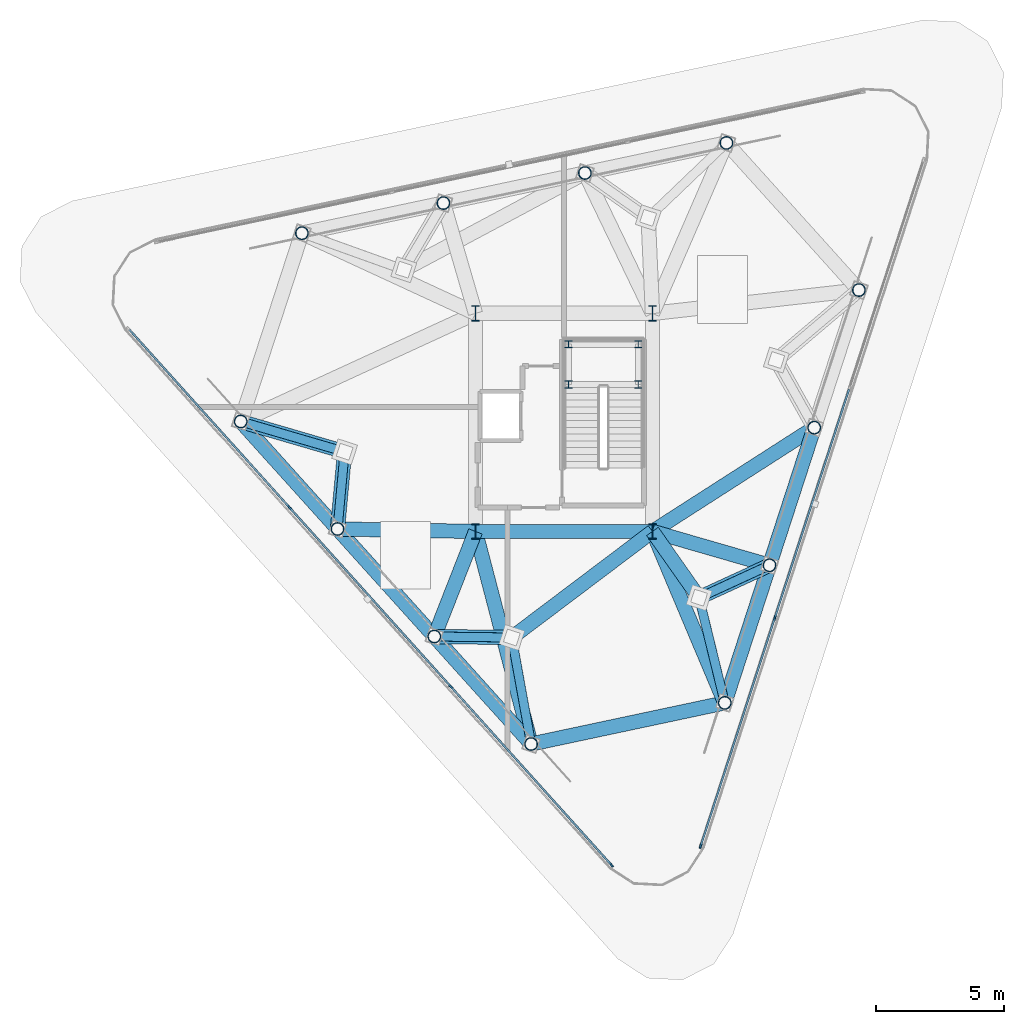
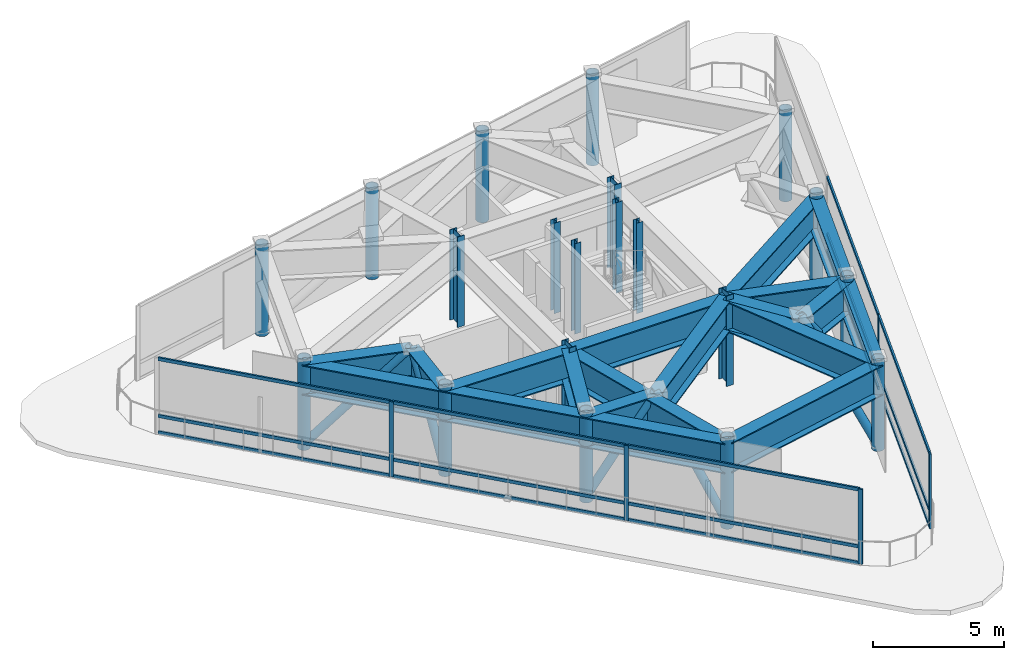
# One storey, part 1 of 6: 26 members, 20 columns, 19 beams, 2 elements without a shape of their own.
"""IFC4 building model written with IfcOpenShell, lengths in metres."""

import ifcopenshell
import ifcopenshell.guid

model = None  # the IFC model being written
_history = None  # IfcOwnerHistory: only IFC2X3 demands one
_inside = {}  # id of a spatial element -> (the spatial element, [elements in it])
_under = {}  # id of a project, library or spatial element -> (it, [spatial elements below it])
_declared = {}  # id of a project -> (the project, [libraries it declares])
_typed = {}  # id of a type object -> (the type object, [elements of that type])
_made_of = {}  # id of a material, layer set ... -> (it, [elements and type objects made of it])


def new_model(schema):
    """Start an empty IFC model of exactly this schema.

    Asked for "IFC4X3", IfcOpenShell would pick the latest addendum, in which some entities
    have other attributes; the version numbers below select the first issue.
    IFC2X3 requires an IfcOwnerHistory on every rooted entity: one is made here for all.
    """
    global model, _history
    if schema == "IFC4X3":
        model = ifcopenshell.file(schema_version=(4, 3, 0, 0))
    else:
        model = ifcopenshell.file(schema=schema)
    _inside.clear()
    _under.clear()
    _declared.clear()
    _typed.clear()
    _made_of.clear()
    _history = None
    if model.schema == "IFC2X3":
        org = make("IfcOrganization", Name="unknown")
        user = make(
            "IfcPersonAndOrganization",
            ThePerson=make("IfcPerson", FamilyName="unknown"),
            TheOrganization=org,
        )
        app = make(
            "IfcApplication",
            ApplicationDeveloper=org,
            Version="unknown",
            ApplicationFullName="unknown",
            ApplicationIdentifier="unknown",
        )
        _history = make(
            "IfcOwnerHistory",
            OwningUser=user,
            OwningApplication=app,
            ChangeAction="ADDED",
            CreationDate=0,
        )
    return model


def make(cls, **values):
    """One entity of the class cls with the attributes given. An attribute that is None is left unset."""
    return model.create_entity(
        cls, **{name: value for name, value in values.items() if value is not None}
    )


def rooted(cls, **values):
    """An entity with a GlobalId (a new one), such as an element, a storey or a relation."""
    return make(cls, GlobalId=ifcopenshell.guid.new(), OwnerHistory=_history, **values)


def si_unit(unit_type, name, prefix=None):
    """IfcSIUnit, for example si_unit("LENGTHUNIT", "METRE", prefix="MILLI")."""
    return make("IfcSIUnit", UnitType=unit_type, Prefix=prefix, Name=name)


def assignment(units):
    """IfcUnitAssignment: the units of a project."""
    return None if units is None else make("IfcUnitAssignment", Units=units)


def point(xyz):
    """IfcCartesianPoint."""
    return None if xyz is None else make("IfcCartesianPoint", Coordinates=xyz)


def direction(xyz):
    """IfcDirection."""
    return None if xyz is None else make("IfcDirection", DirectionRatios=xyz)


def frame(location, z_axis=None, x_axis=None):
    """IfcAxis2Placement3D, a coordinate frame: its origin and axes. An axis left out is left unset."""
    return make(
        "IfcAxis2Placement3D",
        Location=point(location),
        Axis=direction(z_axis),
        RefDirection=direction(x_axis),
    )


def frame_2d(location, x_axis=None):
    """IfcAxis2Placement2D, a coordinate frame in the plane: its origin and x axis."""
    return make(
        "IfcAxis2Placement2D", Location=point(location), RefDirection=direction(x_axis)
    )


def origin():
    """The frame at (0, 0, 0) with its axes left unset."""
    return frame((0.0, 0.0, 0.0))


def origin_2d():
    """The frame at (0, 0) in the plane with its x axis left unset."""
    return frame_2d((0.0, 0.0))


def place(relative_to, where):
    """IfcLocalPlacement: puts the frame where relative to a parent placement (None: the world)."""
    return make(
        "IfcLocalPlacement", PlacementRelTo=relative_to, RelativePlacement=where
    )


def context(
    kind, dimensions, precision=None, world=None, true_north=None, identifier=None
):
    """IfcGeometricRepresentationContext, for example the 3D "Model" context."""
    return make(
        "IfcGeometricRepresentationContext",
        ContextIdentifier=identifier,
        ContextType=kind,
        CoordinateSpaceDimension=dimensions,
        Precision=precision,
        WorldCoordinateSystem=world,
        TrueNorth=true_north,
    )


def subcontext(parent, identifier, kind, view, scale=None):
    """IfcGeometricRepresentationSubContext, for example "Body" below "Model"."""
    return make(
        "IfcGeometricRepresentationSubContext",
        ContextIdentifier=identifier,
        ContextType=kind,
        ParentContext=parent,
        TargetScale=scale,
        TargetView=view,
    )


def project(units=None, contexts=None):
    """IfcProject with its units and contexts."""
    return rooted(
        "IfcProject",
        Name="project",
        RepresentationContexts=contexts,
        UnitsInContext=assignment(units),
    )


def spatial(cls, under=None, at=None, **own):
    """A site, building, storey or space (cls), placed at a placement, below another one or the project."""
    s = rooted(cls, ObjectPlacement=at, **own)
    if under is not None:
        _under.setdefault(under.id(), (under, []))[1].append(s)
    return s


def profile(cls, at=None, kind="AREA", **sizes):
    """A parametric profile (cls). Its sizes go by their IFC names, for example OverallWidth=200.0."""
    return make(cls, ProfileType=kind, Position=at, **sizes)


def rectangle(**sizes):
    """IfcRectangleProfileDef."""
    return profile("IfcRectangleProfileDef", **sizes)


def hollow_circle(**sizes):
    """IfcCircleHollowProfileDef."""
    return profile("IfcCircleHollowProfileDef", **sizes)


def i_section(**sizes):
    """IfcIShapeProfileDef."""
    return profile("IfcIShapeProfileDef", **sizes)


def extrude(swept, where, along, depth):
    """IfcExtrudedAreaSolid: the profile swept, set in the frame where, extruded along a direction by depth."""
    return make(
        "IfcExtrudedAreaSolid",
        SweptArea=swept,
        Position=where,
        ExtrudedDirection=direction(along),
        Depth=depth,
    )


def shape(context_of_items, identifier, shape_type, items):
    """IfcShapeRepresentation: the items that make up one representation, for example the "Body"."""
    return make(
        "IfcShapeRepresentation",
        ContextOfItems=context_of_items,
        RepresentationIdentifier=identifier,
        RepresentationType=shape_type,
        Items=items,
    )


def material(Name=None, Category=None):
    """IfcMaterial."""
    return make("IfcMaterial", Name=Name, Category=Category)


def layer(
    of_material, thickness, ventilated=None, Name=None, Category=None, Priority=None
):
    """IfcMaterialLayer: one layer of a wall or slab, of a material (None: an air gap)."""
    return make(
        "IfcMaterialLayer",
        Material=of_material,
        LayerThickness=thickness,
        IsVentilated=ventilated,
        Name=Name,
        Category=Category,
        Priority=Priority,
    )


def layer_set(layers, Name=None):
    """IfcMaterialLayerSet."""
    return make("IfcMaterialLayerSet", MaterialLayers=layers, LayerSetName=Name)


def material_profile(
    of_material, cross_section, Name=None, Category=None, Priority=None
):
    """IfcMaterialProfile: a cross section and its material."""
    return make(
        "IfcMaterialProfile",
        Name=Name,
        Material=of_material,
        Profile=cross_section,
        Priority=Priority,
        Category=Category,
    )


def profile_set(profiles, Name=None, composite=None):
    """IfcMaterialProfileSet."""
    return make(
        "IfcMaterialProfileSet",
        Name=Name,
        MaterialProfiles=profiles,
        CompositeProfile=composite,
    )


def made_of(thing, what):
    """Note that an element or type object is made of a material, layer set ...; save() writes the relation."""
    if what is not None:
        _made_of.setdefault(what.id(), (what, []))[1].append(thing)
    return thing


def type_object(cls, material=None, **own):
    """A type object (cls), such as IfcWallType, which elements share."""
    return made_of(rooted(cls, **own), material)


def element(
    cls,
    number,
    at=None,
    inside=None,
    cuts=None,
    type_object=None,
    material=None,
    context=None,
    identifier="Body",
    shape_type=None,
    held_by="IfcProductDefinitionShape",
    body=None,
    shapes=None,
    **own,
):
    """One element of the class cls, such as IfcWall. Its Tag is "e" and its number.

    at: its placement. inside: the storey or other place that contains it. cuts: it is an
    opening in that element (IfcRelVoidsElement). A single representation is given by context,
    identifier, shape_type and body (its items); several are given by shapes. held_by: the class
    of the entity that holds the representations. save() writes the other relations.
    """
    e = rooted(cls, Tag="e%d" % number, ObjectPlacement=at, **own)
    if body is not None:
        shapes = [shape(context, identifier, shape_type, body)]
    if shapes is not None:
        e.Representation = make(held_by, Representations=shapes)
    if inside is not None:
        _inside.setdefault(inside.id(), (inside, []))[1].append(e)
    if cuts is not None:
        rooted(
            "IfcRelVoidsElement", RelatingBuildingElement=cuts, RelatedOpeningElement=e
        )
    if type_object is not None:
        _typed.setdefault(type_object.id(), (type_object, []))[1].append(e)
    return made_of(e, material)


def aggregate(whole, parts):
    """IfcRelAggregates: a whole, such as a stair, and the parts it consists of."""
    return rooted("IfcRelAggregates", RelatingObject=whole, RelatedObjects=parts)


def save(model, path):
    """Write the relations noted so far, then the file.

    IfcRelAggregates (storeys below a building ...), IfcRelContainedInSpatialStructure (elements
    in a storey), IfcRelDefinesByType, IfcRelAssociatesMaterial and IfcRelDeclares: one each for
    every whole, place, type object, material and project.
    """
    for whole, parts in _under.values():
        aggregate(whole, parts)
    for where, things in _inside.values():
        rooted(
            "IfcRelContainedInSpatialStructure",
            RelatedElements=things,
            RelatingStructure=where,
        )
    for kind, things in _typed.values():
        rooted("IfcRelDefinesByType", RelatedObjects=things, RelatingType=kind)
    for what, things in _made_of.values():
        rooted("IfcRelAssociatesMaterial", RelatedObjects=things, RelatingMaterial=what)
    for by, libraries in _declared.values():
        rooted("IfcRelDeclares", RelatingContext=by, RelatedDefinitions=libraries)
    model.write(path)


model = new_model("IFC4")

# Units and contexts
model_context = context("Model", 3, precision=1e-05, world=origin(), true_north=direction((0.0, 1.0)))
body_context = subcontext(model_context, "Body", "Model", "MODEL_VIEW")
ifc_project = project(units=[si_unit("LENGTHUNIT", "METRE"), si_unit("AREAUNIT", "SQUARE_METRE"), si_unit("VOLUMEUNIT", "CUBIC_METRE"), si_unit("PLANEANGLEUNIT", "RADIAN"), si_unit("MASSUNIT", "GRAM", prefix="KILO")], contexts=[model_context])

# Site, building, storey
site_placement = place(None, origin())
site = spatial("IfcSite", under=ifc_project, at=site_placement, CompositionType="ELEMENT")
building_placement = place(site_placement, origin())
building = spatial("IfcBuilding", under=site, at=building_placement, Name="Terralouvre Media Tower", CompositionType="ELEMENT")
storey_placement = place(building_placement, frame((0.0, 0.0, 326.60009765625)))
storey = spatial("IfcBuildingStorey", under=building, at=storey_placement, Name="L84", CompositionType="ELEMENT", Elevation=326.60009765625)

# Columns
ifc_material_1 = material(Name="Structural steel S355J2", Category="steel")
ifc_material_profile_1 = material_profile(ifc_material_1, i_section(OverallWidth=0.280029296875, OverallDepth=0.280029296875, WebThickness=0.010498046875, FlangeThickness=0.01806640625, at=origin_2d()), Name="HEB 280")
ifc_profile_set_1 = profile_set([ifc_material_profile_1], Name="Structural steel S355J2")
column_type_1 = type_object("IfcColumnType", Name="Basement Aisle Pilaster PL-HEB280 (HEB 280)", PredefinedType="PILASTER", material=ifc_profile_set_1)
for number, where, z_axis, x_axis, name in (
    (1, (0.179931640625, 1.47998046875, 0.0), (0.0, 0.0, 1.0), (1.0, 0.0, 0.0), "L84 Crown Stair Landing Post ST5LP1"),
    (2, (2.89990234375, 1.47998046875, 0.0), (0.0, 0.0, 1.0), (1.0, 0.0, 0.0), "L84 Crown Stair Landing Post ST5LP2"),
    (3, (0.179931640625, 3.050048828125, 0.0), (0.0, 0.0, 1.0), (1.0, 0.0, 0.0), "L84 Crown Stair Landing Post ST5LP3"),
    (4, (2.89990234375, 3.050048828125, 0.0), (0.0, 0.0, 1.0), (1.0, 0.0, 0.0), "L84 Crown Stair Landing Post ST5LP4"),
):
    element("IfcColumn", number, at=place(storey_placement, frame(where, z_axis=z_axis, x_axis=x_axis)), inside=storey, type_object=column_type_1, Name=name, PredefinedType="PILASTER", context=body_context, shape_type="SweptSolid", body=[
        extrude(i_section(OverallWidth=0.280029296875, OverallDepth=0.280029296875, WebThickness=0.010498046875, FlangeThickness=0.01806640625, at=origin_2d()), origin(), (0.0, 0.0, 1.0), 4.199951171875),
    ])
ifc_material_2 = material(Name="Structural steel S460M", Category="steel")
ifc_material_profile_2 = material_profile(ifc_material_2, hollow_circle(Radius=0.25390625, WallThickness=0.02490234375, at=origin_2d()), Name="CHS 508x25")
ifc_profile_set_2 = profile_set([ifc_material_profile_2], Name="Structural steel S460M")
column_type_2 = type_object("IfcColumnType", Name="Structural Column C-CHS508 (CHS 508x25)", PredefinedType="COLUMN", material=ifc_profile_set_2)
for number, where, z_axis, x_axis, name in (
    (5, (6.269287109375, -10.932373046875, 0.0), (0.0, 0.0, 1.0), (0.309016994375, 0.951056516295, 0.0), "L84 Perimeter Mega-Column PC11"),
    (6, (8.011962890625, -5.568359375, 0.0), (0.0, 0.0, 1.0), (0.309016994375, 0.951056516295, 0.0), "L84 Perimeter Mega-Column PC12"),
    (7, (9.7548828125, -0.204345703125, 0.0), (0.0, 0.0, 1.0), (0.309016994375, 0.951056516295, 0.0), "L84 Perimeter Mega-Column PC13"),
    (8, (11.497802734375, 5.159423828125, 0.0), (0.0, 0.0, 1.0), (0.309016994375, 0.951056516295, 0.0), "L84 Perimeter Mega-Column PC14"),
    (9, (6.3330078125, 10.8955078125, 0.0), (0.0, 0.0, 1.0), (0.309016994375, 0.951056516295, 0.0), "L84 Perimeter Mega-Column PC21"),
    (10, (0.81640625, 9.722900390625, 0.0), (0.0, 0.0, 1.0), (0.309016994375, 0.951056516295, 0.0), "L84 Perimeter Mega-Column PC22"),
    (11, (-4.700439453125, 8.55029296875, 0.0), (0.0, 0.0, 1.0), (0.309016994375, 0.951056516295, 0.0), "L84 Perimeter Mega-Column PC23"),
    (12, (-10.21728515625, 7.377685546875, 0.0), (0.0, 0.0, 1.0), (0.309016994375, 0.951056516295, 0.0), "L84 Perimeter Mega-Column PC24"),
    (13, (-12.602294921875, 0.036865234375, 0.0), (0.0, 0.0, 1.0), (0.309016994375, 0.951056516295, 0.0), "L84 Perimeter Mega-Column PC31"),
    (14, (-8.828369140625, -4.154541015625, 0.0), (0.0, 0.0, 1.0), (0.309016994375, 0.951056516295, 0.0), "L84 Perimeter Mega-Column PC32"),
    (15, (-5.054443359375, -8.345703125, 0.0), (0.0, 0.0, 1.0), (0.309016994375, 0.951056516295, 0.0), "L84 Perimeter Mega-Column PC33"),
    (16, (-1.280517578125, -12.537109375, 0.0), (0.0, 0.0, 1.0), (0.309016994375, 0.951056516295, 0.0), "L84 Perimeter Mega-Column PC34"),
):
    element("IfcColumn", number, at=place(storey_placement, frame(where, z_axis=z_axis, x_axis=x_axis)), inside=storey, type_object=column_type_2, Name=name, PredefinedType="COLUMN", context=body_context, shape_type="SweptSolid", body=[
        extrude(hollow_circle(Radius=0.25390625, WallThickness=0.02490234375, at=origin_2d()), origin(), (0.0, 0.0, 1.0), 4.199951171875),
    ])
ifc_material_3 = material(Name="Structural steel S460M", Category="steel")
ifc_material_profile_3 = material_profile(ifc_material_3, i_section(OverallWidth=0.300048828125, OverallDepth=0.60009765625, WebThickness=0.015380859375, FlangeThickness=0.030029296875, at=origin_2d()), Name="HEB 600")
ifc_profile_set_3 = profile_set([ifc_material_profile_3], Name="Structural steel S460M")
column_type_3 = type_object("IfcColumnType", Name="Structural Column C-HEB600 (HEB 600)", PredefinedType="COLUMN", material=ifc_profile_set_3)
for number, where, z_axis, x_axis, name in (
    (17, (-3.449951171875, -4.25, 0.0), (0.0, 0.0, 1.0), (1.0, 0.0, 0.0), "L84 Core Pilaster Column CP1"),
    (18, (3.449951171875, -4.25, 0.0), (0.0, 0.0, 1.0), (1.0, 0.0, 0.0), "L84 Core Pilaster Column CP3"),
    (19, (3.449951171875, 4.25, 0.0), (0.0, 0.0, 1.0), (1.0, 0.0, 0.0), "L84 Core Pilaster Column CP5"),
    (20, (-3.449951171875, 4.25, 0.0), (0.0, 0.0, 1.0), (1.0, 0.0, 0.0), "L84 Core Pilaster Column CP7"),
):
    element("IfcColumn", number, at=place(storey_placement, frame(where, z_axis=z_axis, x_axis=x_axis)), inside=storey, type_object=column_type_3, Name=name, PredefinedType="COLUMN", context=body_context, shape_type="SweptSolid", body=[
        extrude(i_section(OverallWidth=0.300048828125, OverallDepth=0.60009765625, WebThickness=0.015380859375, FlangeThickness=0.030029296875, at=origin_2d()), origin(), (0.0, 0.0, 1.0), 4.199951171875),
    ])

# Curtain wall, members
ifc_material_4 = material(Name="Low-iron laminated double glazing with solar-control coating", Category="glass")
ifc_layer = layer(ifc_material_4, 0.1650390625, Name="Faceted Glass-Point Crown Curtain Wall CW-06")
ifc_layer_set = layer_set([ifc_layer], Name="Low-iron laminated double glazing with solar-control coating")
curtain_wall_type = type_object("IfcCurtainWallType", Name="Faceted Glass-Point Crown Curtain Wall CW-06", PredefinedType="NOTDEFINED", material=ifc_layer_set)
curtain_wall_1_placement = place(storey_placement, origin())
curtain_wall_1 = element("IfcCurtainWall", 21, at=curtain_wall_1_placement, inside=storey, type_object=curtain_wall_type, Name="L84 Facade Curtain Wall F0", PredefinedType="NOTDEFINED")
ifc_material_5 = material(Name="Anodised extruded aluminium 6063-T6", Category="aluminium")
ifc_material_profile_4 = material_profile(ifc_material_5, rectangle(XDim=0.074951171875, YDim=0.14990234375, at=origin_2d()), Name="ALU 75x150")
ifc_profile_set_4 = profile_set([ifc_material_profile_4], Name="Anodised extruded aluminium 6063-T6")
member_type_1 = type_object("IfcMemberType", Name="Curtain-Wall Horizontal Transom TR-150", PredefinedType="USERDEFINED", material=ifc_profile_set_4)
member_1_placement = place(storey_placement, frame((5.3388671875, -16.4814453125, 0.037353515625), z_axis=(0.309026633145, 0.951053384415, 0.0), x_axis=(-0.951053384415, 0.309026633145, 0.0)))
member_1 = element("IfcMember", 22, at=member_1_placement, type_object=member_type_1, Name="CW-06 transom 1.1", ObjectType="TRANSOM", PredefinedType="USERDEFINED", context=body_context, shape_type="SweptSolid", body=[
    extrude(rectangle(XDim=0.074951171875, YDim=0.14990234375, at=origin_2d()), origin(), (0.0, 0.0, 1.0), 9.28759765625),
])
member_2_placement = place(storey_placement, frame((5.3388671875, -16.4814453125, 0.7998046875), z_axis=(0.309026633145, 0.951053384415, 0.0), x_axis=(-0.951053384415, 0.309026633145, 0.0)))
member_2 = element("IfcMember", 23, at=member_2_placement, type_object=member_type_1, Name="CW-06 transom 1.2", ObjectType="TRANSOM", PredefinedType="USERDEFINED", context=body_context, shape_type="SweptSolid", body=[
    extrude(rectangle(XDim=0.074951171875, YDim=0.14990234375, at=origin_2d()), origin(), (0.0, 0.0, 1.0), 9.28759765625),
])
member_3_placement = place(storey_placement, frame((5.3388671875, -16.4814453125, 3.4423828125), z_axis=(0.309026633145, 0.951053384415, 0.0), x_axis=(-0.951053384415, 0.309026633145, 0.0)))
member_3 = element("IfcMember", 24, at=member_3_placement, type_object=member_type_1, Name="CW-06 transom 1.3", ObjectType="TRANSOM", PredefinedType="USERDEFINED", context=body_context, shape_type="SweptSolid", body=[
    extrude(rectangle(XDim=0.074951171875, YDim=0.14990234375, at=origin_2d()), origin(), (0.0, 0.0, 1.0), 9.28759765625),
])
member_4_placement = place(storey_placement, frame((8.232177734375, -7.5771484375, 0.037353515625), z_axis=(0.308992534234, 0.951064463529, 0.0), x_axis=(-0.951064463529, 0.308992534234, 0.0)))
member_4 = element("IfcMember", 25, at=member_4_placement, type_object=member_type_1, Name="CW-06 transom 2.1", ObjectType="TRANSOM", PredefinedType="USERDEFINED", context=body_context, shape_type="SweptSolid", body=[
    extrude(rectangle(XDim=0.074951171875, YDim=0.14990234375, at=origin_2d()), origin(), (0.0, 0.0, 1.0), 9.324951171875),
])
member_5_placement = place(storey_placement, frame((8.232177734375, -7.5771484375, 0.7998046875), z_axis=(0.308992534234, 0.951064463529, 0.0), x_axis=(-0.951064463529, 0.308992534234, 0.0)))
member_5 = element("IfcMember", 26, at=member_5_placement, type_object=member_type_1, Name="CW-06 transom 2.2", ObjectType="TRANSOM", PredefinedType="USERDEFINED", context=body_context, shape_type="SweptSolid", body=[
    extrude(rectangle(XDim=0.074951171875, YDim=0.14990234375, at=origin_2d()), origin(), (0.0, 0.0, 1.0), 9.324951171875),
])
member_6_placement = place(storey_placement, frame((8.232177734375, -7.5771484375, 3.4423828125), z_axis=(0.308992534234, 0.951064463529, 0.0), x_axis=(-0.951064463529, 0.308992534234, 0.0)))
member_6 = element("IfcMember", 27, at=member_6_placement, type_object=member_type_1, Name="CW-06 transom 2.3", ObjectType="TRANSOM", PredefinedType="USERDEFINED", context=body_context, shape_type="SweptSolid", body=[
    extrude(rectangle(XDim=0.074951171875, YDim=0.14990234375, at=origin_2d()), origin(), (0.0, 0.0, 1.0), 9.324951171875),
])

curtain_wall_2_placement = place(storey_placement, origin())
curtain_wall_2 = element("IfcCurtainWall", 28, at=curtain_wall_2_placement, inside=storey, type_object=curtain_wall_type, Name="L84 Facade Curtain Wall F2", PredefinedType="NOTDEFINED")
member_7_placement = place(storey_placement, frame((-16.94287109375, 3.6171875, 0.037353515625), z_axis=(0.66912592113, -0.743149044049, 0.0), x_axis=(0.743149044049, 0.66912592113, 0.0)))
member_7 = element("IfcMember", 29, at=member_7_placement, type_object=member_type_1, Name="CW-06 transom 1.1", ObjectType="TRANSOM", PredefinedType="USERDEFINED", context=body_context, shape_type="SweptSolid", body=[
    extrude(rectangle(XDim=0.074951171875, YDim=0.14990234375, at=origin_2d()), origin(), (0.0, 0.0, 1.0), 9.28759765625),
])
member_8_placement = place(storey_placement, frame((-16.94287109375, 3.6171875, 0.7998046875), z_axis=(0.66912592113, -0.743149044049, 0.0), x_axis=(0.743149044049, 0.66912592113, 0.0)))
member_8 = element("IfcMember", 30, at=member_8_placement, type_object=member_type_1, Name="CW-06 transom 1.2", ObjectType="TRANSOM", PredefinedType="USERDEFINED", context=body_context, shape_type="SweptSolid", body=[
    extrude(rectangle(XDim=0.074951171875, YDim=0.14990234375, at=origin_2d()), origin(), (0.0, 0.0, 1.0), 9.28759765625),
])
member_9_placement = place(storey_placement, frame((-16.94287109375, 3.6171875, 3.4423828125), z_axis=(0.66912592113, -0.743149044049, 0.0), x_axis=(0.743149044049, 0.66912592113, 0.0)))
member_9 = element("IfcMember", 31, at=member_9_placement, type_object=member_type_1, Name="CW-06 transom 1.3", ObjectType="TRANSOM", PredefinedType="USERDEFINED", context=body_context, shape_type="SweptSolid", body=[
    extrude(rectangle(XDim=0.074951171875, YDim=0.14990234375, at=origin_2d()), origin(), (0.0, 0.0, 1.0), 9.28759765625),
])
member_10_placement = place(storey_placement, frame((-10.677978515625, -3.340576171875, 0.037353515625), z_axis=(0.669116598379, -0.74315743808, 0.0), x_axis=(0.74315743808, 0.669116598379, 0.0)))
member_10 = element("IfcMember", 32, at=member_10_placement, type_object=member_type_1, Name="CW-06 transom 2.1", ObjectType="TRANSOM", PredefinedType="USERDEFINED", context=body_context, shape_type="SweptSolid", body=[
    extrude(rectangle(XDim=0.074951171875, YDim=0.14990234375, at=origin_2d()), origin(), (0.0, 0.0, 1.0), 9.324951171875),
])
member_11_placement = place(storey_placement, frame((-10.677978515625, -3.340576171875, 0.7998046875), z_axis=(0.669116598379, -0.74315743808, 0.0), x_axis=(0.74315743808, 0.669116598379, 0.0)))
member_11 = element("IfcMember", 33, at=member_11_placement, type_object=member_type_1, Name="CW-06 transom 2.2", ObjectType="TRANSOM", PredefinedType="USERDEFINED", context=body_context, shape_type="SweptSolid", body=[
    extrude(rectangle(XDim=0.074951171875, YDim=0.14990234375, at=origin_2d()), origin(), (0.0, 0.0, 1.0), 9.324951171875),
])
member_12_placement = place(storey_placement, frame((-10.677978515625, -3.340576171875, 3.4423828125), z_axis=(0.669116598379, -0.74315743808, 0.0), x_axis=(0.74315743808, 0.669116598379, 0.0)))
member_12 = element("IfcMember", 34, at=member_12_placement, type_object=member_type_1, Name="CW-06 transom 2.3", ObjectType="TRANSOM", PredefinedType="USERDEFINED", context=body_context, shape_type="SweptSolid", body=[
    extrude(rectangle(XDim=0.074951171875, YDim=0.14990234375, at=origin_2d()), origin(), (0.0, 0.0, 1.0), 9.324951171875),
])
member_13_placement = place(storey_placement, frame((-4.38818359375, -10.326171875, 0.037353515625), z_axis=(0.669138992575, -0.743137274409, 0.0), x_axis=(0.743137274409, 0.669138992575, 0.0)))
member_13 = element("IfcMember", 35, at=member_13_placement, type_object=member_type_1, Name="CW-06 transom 3.1", ObjectType="TRANSOM", PredefinedType="USERDEFINED", context=body_context, shape_type="SweptSolid", body=[
    extrude(rectangle(XDim=0.074951171875, YDim=0.14990234375, at=origin_2d()), origin(), (0.0, 0.0, 1.0), 9.287353515625),
])
member_14_placement = place(storey_placement, frame((-4.38818359375, -10.326171875, 0.7998046875), z_axis=(0.669138992575, -0.743137274409, 0.0), x_axis=(0.743137274409, 0.669138992575, 0.0)))
member_14 = element("IfcMember", 36, at=member_14_placement, type_object=member_type_1, Name="CW-06 transom 3.2", ObjectType="TRANSOM", PredefinedType="USERDEFINED", context=body_context, shape_type="SweptSolid", body=[
    extrude(rectangle(XDim=0.074951171875, YDim=0.14990234375, at=origin_2d()), origin(), (0.0, 0.0, 1.0), 9.287353515625),
])
member_15_placement = place(storey_placement, frame((-4.38818359375, -10.326171875, 3.4423828125), z_axis=(0.669138992575, -0.743137274409, 0.0), x_axis=(0.743137274409, 0.669138992575, 0.0)))
member_15 = element("IfcMember", 37, at=member_15_placement, type_object=member_type_1, Name="CW-06 transom 3.3", ObjectType="TRANSOM", PredefinedType="USERDEFINED", context=body_context, shape_type="SweptSolid", body=[
    extrude(rectangle(XDim=0.074951171875, YDim=0.14990234375, at=origin_2d()), origin(), (0.0, 0.0, 1.0), 9.287353515625),
])

# Member
ifc_material_6 = material(Name="Anodised extruded aluminium 6063-T6", Category="aluminium")
ifc_material_profile_5 = material_profile(ifc_material_6, rectangle(XDim=0.074951171875, YDim=0.179931640625, at=origin_2d()), Name="ALU 75x180")
ifc_profile_set_5 = profile_set([ifc_material_profile_5], Name="Anodised extruded aluminium 6063-T6")
member_type_2 = type_object("IfcMemberType", Name="Curtain-Wall Vertical Mullion ML-180", PredefinedType="MULLION", material=ifc_profile_set_5)
member_16_placement = place(storey_placement, frame((5.327392578125, -16.51708984375, 0.0), z_axis=(0.0, 0.0, 1.0), x_axis=(-0.95105652952, 0.309016953674, 0.0)))
member_16 = element("IfcMember", 38, at=member_16_placement, type_object=member_type_2, Name="CW-06 mullion 1", PredefinedType="MULLION", context=body_context, shape_type="SweptSolid", body=[
    extrude(rectangle(XDim=0.074951171875, YDim=0.179931640625, at=origin_2d()), origin(), (0.0, 0.0, 1.0), 3.47998046875),
])

member_17_placement = place(storey_placement, frame((8.220458984375, -7.61279296875, 0.0), z_axis=(0.0, 0.0, 1.0), x_axis=(-0.95105652952, 0.309016953674, 0.0)))
member_17 = element("IfcMember", 39, at=member_17_placement, type_object=member_type_2, Name="CW-06 mullion 2", PredefinedType="MULLION", context=body_context, shape_type="SweptSolid", body=[
    extrude(rectangle(XDim=0.074951171875, YDim=0.179931640625, at=origin_2d()), origin(), (0.0, 0.0, 1.0), 3.47998046875),
])

aggregate(curtain_wall_1, [member_16, member_17, member_1, member_2, member_3, member_4, member_5, member_6])

member_18_placement = place(storey_placement, frame((-10.703125, -3.312744140625, 0.0), z_axis=(0.0, 0.0, 1.0), x_axis=(0.743144974145, 0.669130441247, 0.0)))
member_18 = element("IfcMember", 40, at=member_18_placement, type_object=member_type_2, Name="CW-06 mullion 2", PredefinedType="MULLION", context=body_context, shape_type="SweptSolid", body=[
    extrude(rectangle(XDim=0.074951171875, YDim=0.179931640625, at=origin_2d()), origin(), (0.0, 0.0, 1.0), 3.47998046875),
])

member_19_placement = place(storey_placement, frame((-4.413330078125, -10.29833984375, 0.0), z_axis=(0.0, 0.0, 1.0), x_axis=(0.743144974145, 0.669130441247, 0.0)))
member_19 = element("IfcMember", 41, at=member_19_placement, type_object=member_type_2, Name="CW-06 mullion 3", PredefinedType="MULLION", context=body_context, shape_type="SweptSolid", body=[
    extrude(rectangle(XDim=0.074951171875, YDim=0.179931640625, at=origin_2d()), origin(), (0.0, 0.0, 1.0), 3.47998046875),
])

member_20_placement = place(storey_placement, frame((1.851318359375, -17.255859375, 0.0), z_axis=(0.0, 0.0, 1.0), x_axis=(0.743144974145, 0.669130441247, 0.0)))
member_20 = element("IfcMember", 42, at=member_20_placement, type_object=member_type_2, Name="CW-06 mullion 4", PredefinedType="MULLION", context=body_context, shape_type="SweptSolid", body=[
    extrude(rectangle(XDim=0.074951171875, YDim=0.179931640625, at=origin_2d()), origin(), (0.0, 0.0, 1.0), 3.47998046875),
])

aggregate(curtain_wall_2, [member_18, member_19, member_20, member_7, member_8, member_9, member_10, member_11, member_12, member_13, member_14, member_15])

# Members
ifc_material_7 = material(Name="Structural steel S355J2", Category="steel")
ifc_material_profile_6 = material_profile(ifc_material_7, hollow_circle(Radius=0.177734375, WallThickness=0.01611328125, at=origin_2d()), Name="CHS 355.6x16")
ifc_profile_set_6 = profile_set([ifc_material_profile_6], Name="Structural steel S355J2")
member_type_3 = type_object("IfcMemberType", Name="Faceted Crown Rib Rafter RF-CHS356 (CHS 355.6x16)", PredefinedType="RAFTER", material=ifc_profile_set_6)
member_21_placement = place(storey_placement, frame((6.269287109375, -10.932373046875, 0.14990234375), z_axis=(-0.175771653447, 0.719322893742, 0.672070606695), x_axis=(-0.971418575266, -0.237373022114, 0.0)))
element("IfcMember", 43, at=member_21_placement, inside=storey, type_object=member_type_3, Name="L84 Faceted Glass-Point Crown Rib 01", PredefinedType="RAFTER", context=body_context, shape_type="SweptSolid", body=[
    extrude(hollow_circle(Radius=0.177734375, WallThickness=0.01611328125, at=origin_2d()), origin(), (0.0, 0.0, 1.0), 5.698974609375),
])
member_22_placement = place(storey_placement, frame((8.011962890625, -5.568359375, 0.14990234375), z_axis=(-0.562538337024, -0.259225032095, 0.785081525775), x_axis=(0.418515006461, -0.908209881782, 0.0)))
element("IfcMember", 44, at=member_22_placement, inside=storey, type_object=member_type_3, Name="L84 Faceted Glass-Point Crown Rib 02", PredefinedType="RAFTER", context=body_context, shape_type="SweptSolid", body=[
    extrude(hollow_circle(Radius=0.177734375, WallThickness=0.01611328125, at=origin_2d()), origin(), (0.0, 0.0, 1.0), 4.878662109375),
])
member_23_placement = place(storey_placement, frame((-12.602294921875, 0.036865234375, 0.14990234375), z_axis=(0.710840404872, -0.207430195889, 0.672070407499), x_axis=(0.280126627296, 0.959963057977, 0.0)))
element("IfcMember", 45, at=member_23_placement, inside=storey, type_object=member_type_3, Name="L84 Faceted Glass-Point Crown Rib 09", PredefinedType="RAFTER", context=body_context, shape_type="SweptSolid", body=[
    extrude(hollow_circle(Radius=0.177734375, WallThickness=0.01611328125, at=origin_2d()), origin(), (0.0, 0.0, 1.0), 5.698974609375),
])
for number, where, z_axis, x_axis, name in (
    (46, (-8.828369140625, -4.154541015625, 0.14990234375), (0.056797456707, 0.616815375656, 0.785055947857), (-0.995787244335, 0.091693860321, 0.0), "L84 Faceted Glass-Point Crown Rib 10"),
    (47, (-5.054443359375, -8.345703125, 0.14990234375), (0.619338811408, -0.008006965888, 0.785083005281), (0.012927167947, 0.999916440673, 0.0), "L84 Faceted Glass-Point Crown Rib 11"),
):
    element("IfcMember", number, at=place(storey_placement, frame(where, z_axis=z_axis, x_axis=x_axis)), inside=storey, type_object=member_type_3, Name=name, PredefinedType="RAFTER", context=body_context, shape_type="SweptSolid", body=[
        extrude(hollow_circle(Radius=0.177734375, WallThickness=0.01611328125, at=origin_2d()), origin(), (0.0, 0.0, 1.0), 4.878662109375),
    ])
member_24_placement = place(storey_placement, frame((-1.280517578125, -12.537109375, 0.14990234375), z_axis=(-0.132032411058, 0.728620132148, 0.672071532992), x_axis=(-0.983975264012, -0.178305019031, 0.0)))
element("IfcMember", 48, at=member_24_placement, inside=storey, type_object=member_type_3, Name="L84 Faceted Glass-Point Crown Rib 12", PredefinedType="RAFTER", context=body_context, shape_type="SweptSolid", body=[
    extrude(hollow_circle(Radius=0.177734375, WallThickness=0.01611328125, at=origin_2d()), origin(), (0.0, 0.0, 1.0), 5.698974609375),
])

# Beams
ifc_material_8 = material(Name="Structural steel S460M", Category="steel")
ifc_material_profile_7 = material_profile(ifc_material_8, i_section(OverallWidth=0.56005859375, OverallDepth=1.39990234375, WebThickness=0.031982421875, FlangeThickness=0.050048828125, at=origin_2d()), Name="TG 1400x560")
ifc_profile_set_7 = profile_set([ifc_material_profile_7], Name="Structural steel S460M")
beam_type = type_object("IfcBeamType", Name="Welded Transfer Girder TG-1400 (TG 1400x560)", PredefinedType="USERDEFINED", material=ifc_profile_set_7)
beam_1_placement = place(storey_placement, frame((-3.449951171875, -4.25, 3.27978515625), z_axis=(1.0, 0.0, 0.0), x_axis=(0.0, 1.0, 0.0)))
element("IfcBeam", 49, at=beam_1_placement, inside=storey, type_object=beam_type, Name="L84 Framing Beam BM-L84-CR01", ObjectType="TRANSFER GIRDER", PredefinedType="USERDEFINED", context=body_context, shape_type="SweptSolid", body=[
    extrude(i_section(OverallWidth=0.56005859375, OverallDepth=1.39990234375, WebThickness=0.031982421875, FlangeThickness=0.050048828125, at=origin_2d()), origin(), (0.0, 0.0, 1.0), 6.89990234375),
])
beam_2_placement = place(storey_placement, frame((-8.828369140625, -4.154541015625, 3.27978515625), z_axis=(0.669148865276, -0.743128384668, 0.0), x_axis=(0.743128384668, 0.669148865276, 0.0)))
element("IfcBeam", 50, at=beam_2_placement, inside=storey, type_object=beam_type, Name="L84 Framing Beam BM-L84-PR01", ObjectType="TRANSFER GIRDER", PredefinedType="USERDEFINED", context=body_context, shape_type="SweptSolid", body=[
    extrude(i_section(OverallWidth=0.56005859375, OverallDepth=1.39990234375, WebThickness=0.031982421875, FlangeThickness=0.050048828125, at=origin_2d()), origin(), (0.0, 0.0, 1.0), 5.639892578125),
])
beam_3_placement = place(storey_placement, frame((-5.054443359375, -8.345703125, 3.27978515625), z_axis=(0.66912734005, -0.743147766462, 0.0), x_axis=(0.743147766462, 0.66912734005, 0.0)))
element("IfcBeam", 51, at=beam_3_placement, inside=storey, type_object=beam_type, Name="L84 Framing Beam BM-L84-PR02", ObjectType="TRANSFER GIRDER", PredefinedType="USERDEFINED", context=body_context, shape_type="SweptSolid", body=[
    extrude(i_section(OverallWidth=0.56005859375, OverallDepth=1.39990234375, WebThickness=0.031982421875, FlangeThickness=0.050048828125, at=origin_2d()), origin(), (0.0, 0.0, 1.0), 5.64013671875),
])
beam_4_placement = place(storey_placement, frame((-1.280517578125, -12.537109375, 3.27978515625), z_axis=(0.978148238293, 0.207908691317, 0.0), x_axis=(-0.207908691317, 0.978148238293, 0.0)))
element("IfcBeam", 52, at=beam_4_placement, inside=storey, type_object=beam_type, Name="L84 Framing Beam BM-L84-PR03", ObjectType="TRANSFER GIRDER", PredefinedType="USERDEFINED", context=body_context, shape_type="SweptSolid", body=[
    extrude(i_section(OverallWidth=0.56005859375, OverallDepth=1.39990234375, WebThickness=0.031982421875, FlangeThickness=0.050048828125, at=origin_2d()), origin(), (0.0, 0.0, 1.0), 7.718505859375),
])
beam_5_placement = place(storey_placement, frame((6.269287109375, -10.932373046875, 3.27978515625), z_axis=(0.308985254338, 0.951066828673, 0.0), x_axis=(-0.951066828673, 0.308985254338, 0.0)))
element("IfcBeam", 53, at=beam_5_placement, inside=storey, type_object=beam_type, Name="L84 Framing Beam BM-L84-PR04", ObjectType="TRANSFER GIRDER", PredefinedType="USERDEFINED", context=body_context, shape_type="SweptSolid", body=[
    extrude(i_section(OverallWidth=0.56005859375, OverallDepth=1.39990234375, WebThickness=0.031982421875, FlangeThickness=0.050048828125, at=origin_2d()), origin(), (0.0, 0.0, 1.0), 5.639892578125),
])
for number, where, z_axis, x_axis, name in (
    (54, (8.011962890625, -5.568359375, 3.27978515625), (0.309024408197, 0.951054107366, 0.0), (-0.951054107366, 0.309024408197, 0.0), "L84 Framing Beam BM-L84-PR05"),
    (55, (-12.602294921875, 0.036865234375, 3.27978515625), (0.66912734005, -0.743147766462, 0.0), (0.743147766462, 0.66912734005, 0.0), "L84 Framing Beam BM-L84-PR12"),
):
    element("IfcBeam", number, at=place(storey_placement, frame(where, z_axis=z_axis, x_axis=x_axis)), inside=storey, type_object=beam_type, Name=name, ObjectType="TRANSFER GIRDER", PredefinedType="USERDEFINED", context=body_context, shape_type="SweptSolid", body=[
        extrude(i_section(OverallWidth=0.56005859375, OverallDepth=1.39990234375, WebThickness=0.031982421875, FlangeThickness=0.050048828125, at=origin_2d()), origin(), (0.0, 0.0, 1.0), 5.64013671875),
    ])
beam_6_placement = place(storey_placement, frame((-3.449951171875, -4.25, 3.27978515625), z_axis=(-0.999842532137, 0.017745729917, 0.0), x_axis=(-0.017745729917, -0.999842532137, 0.0)))
element("IfcBeam", 56, at=beam_6_placement, inside=storey, type_object=beam_type, Name="L84 Framing Beam BM-L84-RD01", ObjectType="TRANSFER GIRDER", PredefinedType="USERDEFINED", context=body_context, shape_type="SweptSolid", body=[
    extrude(i_section(OverallWidth=0.56005859375, OverallDepth=1.39990234375, WebThickness=0.031982421875, FlangeThickness=0.050048828125, at=origin_2d()), origin(), (0.0, 0.0, 1.0), 5.379150390625),
])
beam_7_placement = place(storey_placement, frame((-3.449951171875, -4.25, 3.27978515625), z_axis=(-0.364759265598, -0.931101862398, 0.0), x_axis=(0.931101862398, -0.364759265598, 0.0)))
element("IfcBeam", 57, at=beam_7_placement, inside=storey, type_object=beam_type, Name="L84 Framing Beam BM-L84-RD02", ObjectType="TRANSFER GIRDER", PredefinedType="USERDEFINED", context=body_context, shape_type="SweptSolid", body=[
    extrude(i_section(OverallWidth=0.56005859375, OverallDepth=1.39990234375, WebThickness=0.031982421875, FlangeThickness=0.050048828125, at=origin_2d()), origin(), (0.0, 0.0, 1.0), 4.398681640625),
])
beam_8_placement = place(storey_placement, frame((-3.449951171875, -4.25, 3.27978515625), z_axis=(0.2532501683, -0.967400822956, 0.0), x_axis=(0.967400822956, 0.2532501683, 0.0)))
element("IfcBeam", 58, at=beam_8_placement, inside=storey, type_object=beam_type, Name="L84 Framing Beam BM-L84-RD03", ObjectType="TRANSFER GIRDER", PredefinedType="USERDEFINED", context=body_context, shape_type="SweptSolid", body=[
    extrude(i_section(OverallWidth=0.56005859375, OverallDepth=1.39990234375, WebThickness=0.031982421875, FlangeThickness=0.050048828125, at=origin_2d()), origin(), (0.0, 0.0, 1.0), 8.56640625),
])
beam_9_placement = place(storey_placement, frame((3.449951171875, -4.25, 3.27978515625), z_axis=(0.388725062594, -0.921353800508, 0.0), x_axis=(0.921353800508, 0.388725062594, 0.0)))
element("IfcBeam", 59, at=beam_9_placement, inside=storey, type_object=beam_type, Name="L84 Framing Beam BM-L84-RD04", ObjectType="TRANSFER GIRDER", PredefinedType="USERDEFINED", context=body_context, shape_type="SweptSolid", body=[
    extrude(i_section(OverallWidth=0.56005859375, OverallDepth=1.39990234375, WebThickness=0.031982421875, FlangeThickness=0.050048828125, at=origin_2d()), origin(), (0.0, 0.0, 1.0), 7.252685546875),
])
beam_10_placement = place(storey_placement, frame((3.449951171875, -4.25, 3.27978515625), z_axis=(0.960689199254, -0.277626119874, 0.0), x_axis=(0.277626119874, 0.960689199254, 0.0)))
element("IfcBeam", 60, at=beam_10_placement, inside=storey, type_object=beam_type, Name="L84 Framing Beam BM-L84-RD05", ObjectType="TRANSFER GIRDER", PredefinedType="USERDEFINED", context=body_context, shape_type="SweptSolid", body=[
    extrude(i_section(OverallWidth=0.56005859375, OverallDepth=1.39990234375, WebThickness=0.031982421875, FlangeThickness=0.050048828125, at=origin_2d()), origin(), (0.0, 0.0, 1.0), 4.748779296875),
])
beam_11_placement = place(storey_placement, frame((3.449951171875, -4.25, 3.27978515625), z_axis=(0.841634552267, 0.540047479792, 0.0), x_axis=(-0.540047479792, 0.841634552267, 0.0)))
element("IfcBeam", 61, at=beam_11_placement, inside=storey, type_object=beam_type, Name="L84 Framing Beam BM-L84-RD06", ObjectType="TRANSFER GIRDER", PredefinedType="USERDEFINED", context=body_context, shape_type="SweptSolid", body=[
    extrude(i_section(OverallWidth=0.56005859375, OverallDepth=1.39990234375, WebThickness=0.031982421875, FlangeThickness=0.050048828125, at=origin_2d()), origin(), (0.0, 0.0, 1.0), 7.4912109375),
])
beam_12_placement = place(storey_placement, frame((5.267578125, -6.8330078125, 3.27978515625), z_axis=(0.908209881782, 0.418515006461, 0.0), x_axis=(-0.418515006461, 0.908209881782, 0.0)))
element("IfcBeam", 62, at=beam_12_placement, inside=storey, type_object=beam_type, Name="L84 Framing Beam BM-L84-TR01S1", ObjectType="TRANSFER GIRDER", PredefinedType="USERDEFINED", context=body_context, shape_type="SweptSolid", body=[
    extrude(i_section(OverallWidth=0.56005859375, OverallDepth=1.39990234375, WebThickness=0.031982421875, FlangeThickness=0.050048828125, at=origin_2d()), origin(), (0.0, 0.0, 1.0), 3.021728515625),
])
beam_13_placement = place(storey_placement, frame((5.267578125, -6.8330078125, 3.27978515625), z_axis=(-0.575483832526, 0.817813156229, 0.0), x_axis=(-0.817813156229, -0.575483832526, 0.0)))
element("IfcBeam", 63, at=beam_13_placement, inside=storey, type_object=beam_type, Name="L84 Framing Beam BM-L84-TR01S2", ObjectType="TRANSFER GIRDER", PredefinedType="USERDEFINED", context=body_context, shape_type="SweptSolid", body=[
    extrude(i_section(OverallWidth=0.56005859375, OverallDepth=1.39990234375, WebThickness=0.031982421875, FlangeThickness=0.050048828125, at=origin_2d()), origin(), (0.0, 0.0, 1.0), 3.158447265625),
])
beam_14_placement = place(storey_placement, frame((-8.55126953125, -1.145263671875, 3.27978515625), z_axis=(-0.091693860321, -0.995787244335, 0.0), x_axis=(0.995787244335, -0.091693860321, 0.0)))
element("IfcBeam", 64, at=beam_14_placement, inside=storey, type_object=beam_type, Name="L84 Framing Beam BM-L84-TR05S1", ObjectType="TRANSFER GIRDER", PredefinedType="USERDEFINED", context=body_context, shape_type="SweptSolid", body=[
    extrude(i_section(OverallWidth=0.56005859375, OverallDepth=1.39990234375, WebThickness=0.031982421875, FlangeThickness=0.050048828125, at=origin_2d()), origin(), (0.0, 0.0, 1.0), 3.02197265625),
])
beam_15_placement = place(storey_placement, frame((-8.55126953125, -1.145263671875, 3.27978515625), z_axis=(-0.959963057977, 0.280126627296, 0.0), x_axis=(-0.280126627296, -0.959963057977, 0.0)))
element("IfcBeam", 65, at=beam_15_placement, inside=storey, type_object=beam_type, Name="L84 Framing Beam BM-L84-TR05S2", ObjectType="TRANSFER GIRDER", PredefinedType="USERDEFINED", context=body_context, shape_type="SweptSolid", body=[
    extrude(i_section(OverallWidth=0.56005859375, OverallDepth=1.39990234375, WebThickness=0.031982421875, FlangeThickness=0.050048828125, at=origin_2d()), origin(), (0.0, 0.0, 1.0), 4.219970703125),
])
beam_16_placement = place(storey_placement, frame((-2.032958984375, -8.384765625, 3.27978515625), z_axis=(-0.999916440673, 0.012927167947, 0.0), x_axis=(-0.012927167947, -0.999916440673, 0.0)))
element("IfcBeam", 66, at=beam_16_placement, inside=storey, type_object=beam_type, Name="L84 Framing Beam BM-L84-TR06S1", ObjectType="TRANSFER GIRDER", PredefinedType="USERDEFINED", context=body_context, shape_type="SweptSolid", body=[
    extrude(i_section(OverallWidth=0.56005859375, OverallDepth=1.39990234375, WebThickness=0.031982421875, FlangeThickness=0.050048828125, at=origin_2d()), origin(), (0.0, 0.0, 1.0), 3.021728515625),
])
beam_17_placement = place(storey_placement, frame((-2.032958984375, -8.384765625, 3.27978515625), z_axis=(0.798418738676, 0.602102580738, 0.0), x_axis=(-0.602102580738, 0.798418738676, 0.0)))
element("IfcBeam", 67, at=beam_17_placement, inside=storey, type_object=beam_type, Name="L84 Framing Beam BM-L84-TR06S2", ObjectType="TRANSFER GIRDER", PredefinedType="USERDEFINED", context=body_context, shape_type="SweptSolid", body=[
    extrude(i_section(OverallWidth=0.56005859375, OverallDepth=1.39990234375, WebThickness=0.031982421875, FlangeThickness=0.050048828125, at=origin_2d()), origin(), (0.0, 0.0, 1.0), 6.8671875),
])

save(model, "model.ifc")
